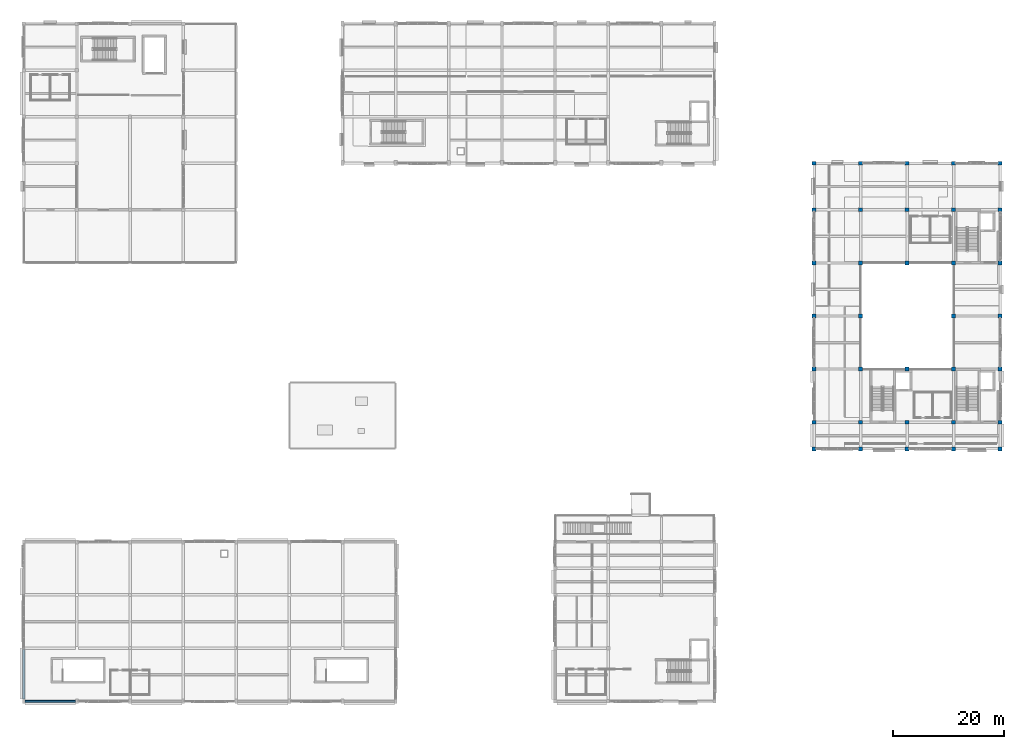
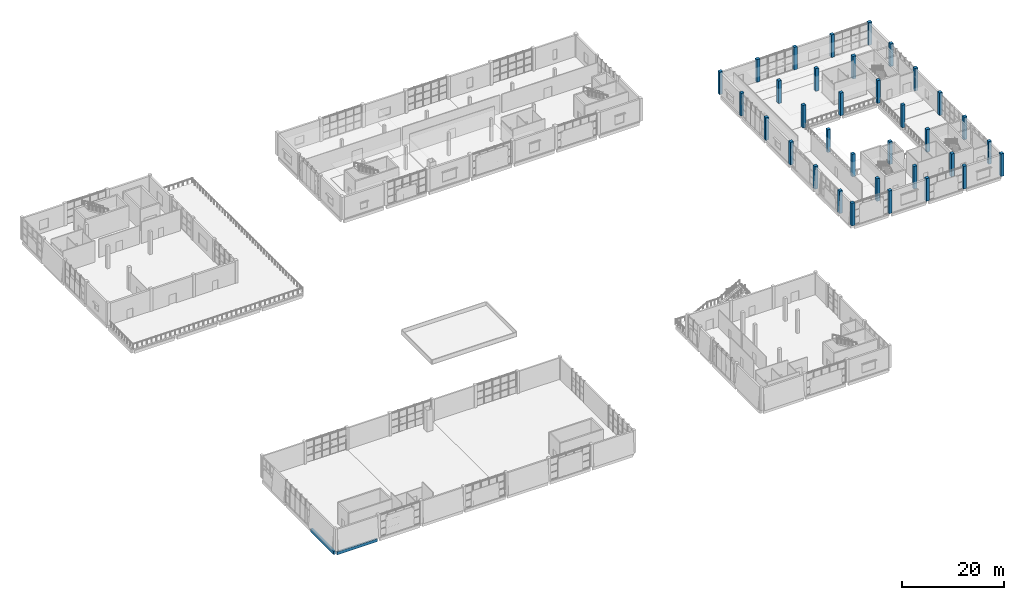
# One storey, part 2 of 72: 34 columns, 2 beams.
"""IFC4 building model written with IfcOpenShell, lengths in metres."""

from ifc_helpers import new_model, si_unit, direction, frame, origin, origin_2d, place, context, subcontext, project, spatial, rectangle, extrude, material, material_profile, profile_set, type_object, element, save


model = new_model("IFC4")

# Units and contexts
model_context = context("Model", 3, precision=1e-05, world=origin(), true_north=direction((0.0, 1.0)))
body_context = subcontext(model_context, "Body", "Model", "MODEL_VIEW")
ifc_project = project(units=[si_unit("LENGTHUNIT", "METRE"), si_unit("AREAUNIT", "SQUARE_METRE"), si_unit("VOLUMEUNIT", "CUBIC_METRE"), si_unit("PLANEANGLEUNIT", "RADIAN"), si_unit("MASSUNIT", "GRAM", prefix="KILO")], contexts=[model_context])

# Site, building, storey
site_placement = place(None, origin())
site = spatial("IfcSite", under=ifc_project, at=site_placement, CompositionType="ELEMENT")
building_placement = place(site_placement, origin())
building = spatial("IfcBuilding", under=site, at=building_placement, Name="Shalvenor Court Art Gallery", CompositionType="ELEMENT")
storey_placement = place(building_placement, frame((0.0, 0.0, 11.39990234375)))
storey = spatial("IfcBuildingStorey", under=building, at=storey_placement, Name="L02", CompositionType="ELEMENT", Elevation=11.39990234375)

# Columns
ifc_material_1 = material(Name="Concrete C40/50", Category="concrete")
ifc_material_profile_1 = material_profile(ifc_material_1, rectangle(XDim=0.699951171875, YDim=0.699951171875, at=origin_2d()), Name="RC 700x700")
ifc_profile_set_1 = profile_set([ifc_material_profile_1], Name="Concrete C40/50")
column_type_1 = type_object("IfcColumnType", Name="C-02", PredefinedType="COLUMN", material=ifc_profile_set_1)
for number, where, z_axis, x_axis, name in (
    (1, (142.800048828125, 45.60009765625, 0.0), (0.0, 0.0, 1.0), (1.0, 0.0, 0.0), "L02 Column COL-L02-C-02-0554"),
    (2, (142.800048828125, 50.39990234375, 0.0), (0.0, 0.0, 1.0), (1.0, 0.0, 0.0), "L02 Column COL-L02-C-02-0560"),
    (3, (142.800048828125, 60.0, 0.0), (0.0, 0.0, 1.0), (1.0, 0.0, 0.0), "L02 Column COL-L02-C-02-0566"),
    (4, (142.800048828125, 69.60009765625, 0.0), (0.0, 0.0, 1.0), (1.0, 0.0, 0.0), "L02 Column COL-L02-C-02-0572"),
    (5, (142.800048828125, 79.199951171875, 0.0), (0.0, 0.0, 1.0), (1.0, 0.0, 0.0), "L02 Column COL-L02-C-02-0578"),
    (6, (142.800048828125, 88.800048828125, 0.0), (0.0, 0.0, 1.0), (1.0, 0.0, 0.0), "L02 Column COL-L02-C-02-0584"),
    (7, (151.199951171875, 45.60009765625, 0.0), (0.0, 0.0, 1.0), (1.0, 0.0, 0.0), "L02 Column COL-L02-C-02-0596"),
    (8, (151.199951171875, 50.39990234375, 0.0), (0.0, 0.0, 1.0), (1.0, 0.0, 0.0), "L02 Column COL-L02-C-02-0602"),
    (9, (151.199951171875, 60.0, 0.0), (0.0, 0.0, 1.0), (1.0, 0.0, 0.0), "L02 Column COL-L02-C-02-0608"),
    (10, (151.199951171875, 69.60009765625, 0.0), (0.0, 0.0, 1.0), (1.0, 0.0, 0.0), "L02 Column COL-L02-C-02-0614"),
    (11, (151.199951171875, 79.199951171875, 0.0), (0.0, 0.0, 1.0), (1.0, 0.0, 0.0), "L02 Column COL-L02-C-02-0620"),
    (12, (151.199951171875, 88.800048828125, 0.0), (0.0, 0.0, 1.0), (1.0, 0.0, 0.0), "L02 Column COL-L02-C-02-0626"),
    (13, (159.60009765625, 45.60009765625, 0.0), (0.0, 0.0, 1.0), (1.0, 0.0, 0.0), "L02 Column COL-L02-C-02-0638"),
    (14, (159.60009765625, 50.39990234375, 0.0), (0.0, 0.0, 1.0), (1.0, 0.0, 0.0), "L02 Column COL-L02-C-02-0645"),
    (15, (159.60009765625, 60.0, 0.0), (0.0, 0.0, 1.0), (1.0, 0.0, 0.0), "L02 Column COL-L02-C-02-0652"),
    (16, (159.60009765625, 79.199951171875, 0.0), (0.0, 0.0, 1.0), (1.0, 0.0, 0.0), "L02 Column COL-L02-C-02-0659"),
    (17, (159.60009765625, 88.800048828125, 0.0), (0.0, 0.0, 1.0), (1.0, 0.0, 0.0), "L02 Column COL-L02-C-02-0666"),
    (18, (168.0, 45.60009765625, 0.0), (0.0, 0.0, 1.0), (1.0, 0.0, 0.0), "L02 Column COL-L02-C-02-0680"),
    (19, (168.0, 50.39990234375, 0.0), (0.0, 0.0, 1.0), (1.0, 0.0, 0.0), "L02 Column COL-L02-C-02-0687"),
    (20, (168.0, 60.0, 0.0), (0.0, 0.0, 1.0), (1.0, 0.0, 0.0), "L02 Column COL-L02-C-02-0694"),
    (21, (168.0, 69.60009765625, 0.0), (0.0, 0.0, 1.0), (1.0, 0.0, 0.0), "L02 Column COL-L02-C-02-0701"),
    (22, (168.0, 79.199951171875, 0.0), (0.0, 0.0, 1.0), (1.0, 0.0, 0.0), "L02 Column COL-L02-C-02-0708"),
    (23, (168.0, 88.800048828125, 0.0), (0.0, 0.0, 1.0), (1.0, 0.0, 0.0), "L02 Column COL-L02-C-02-0715"),
):
    element("IfcColumn", number, at=place(storey_placement, frame(where, z_axis=z_axis, x_axis=x_axis)), inside=storey, type_object=column_type_1, Name=name, PredefinedType="COLUMN", context=body_context, shape_type="SweptSolid", body=[
        extrude(rectangle(XDim=0.699951171875, YDim=0.699951171875, at=origin_2d()), origin(), (0.0, 0.0, 1.0), 5.400146484375),
    ])
ifc_material_2 = material(Name="Concrete C40/50", Category="concrete")
ifc_material_profile_2 = material_profile(ifc_material_2, rectangle(XDim=0.699951171875, YDim=0.699951171875, at=origin_2d()), Name="RC 700x700")
ifc_profile_set_2 = profile_set([ifc_material_profile_2], Name="Concrete C40/50")
column_type_2 = type_object("IfcColumnType", Name="C-02E", PredefinedType="COLUMN", material=ifc_profile_set_2)
for number, where, z_axis, x_axis, name in (
    (24, (142.800048828125, 97.199951171875, 0.0), (0.0, 0.0, 1.0), (1.0, 0.0, 0.0), "L02 Column COL-L02-C-02E-0590"),
    (25, (151.199951171875, 97.199951171875, 0.0), (0.0, 0.0, 1.0), (1.0, 0.0, 0.0), "L02 Column COL-L02-C-02E-0632"),
    (26, (159.60009765625, 97.199951171875, 0.0), (0.0, 0.0, 1.0), (1.0, 0.0, 0.0), "L02 Column COL-L02-C-02E-0673"),
    (27, (168.0, 97.199951171875, 0.0), (0.0, 0.0, 1.0), (1.0, 0.0, 0.0), "L02 Column COL-L02-C-02E-0722"),
    (28, (176.39990234375, 45.60009765625, 0.0), (0.0, 0.0, 1.0), (1.0, 0.0, 0.0), "L02 Column COL-L02-C-02E-0729"),
    (29, (176.39990234375, 50.39990234375, 0.0), (0.0, 0.0, 1.0), (1.0, 0.0, 0.0), "L02 Column COL-L02-C-02E-0736"),
    (30, (176.39990234375, 60.0, 0.0), (0.0, 0.0, 1.0), (1.0, 0.0, 0.0), "L02 Column COL-L02-C-02E-0743"),
    (31, (176.39990234375, 69.60009765625, 0.0), (0.0, 0.0, 1.0), (1.0, 0.0, 0.0), "L02 Column COL-L02-C-02E-0750"),
    (32, (176.39990234375, 79.199951171875, 0.0), (0.0, 0.0, 1.0), (1.0, 0.0, 0.0), "L02 Column COL-L02-C-02E-0757"),
    (33, (176.39990234375, 88.800048828125, 0.0), (0.0, 0.0, 1.0), (1.0, 0.0, 0.0), "L02 Column COL-L02-C-02E-0764"),
    (34, (176.39990234375, 97.199951171875, 0.0), (0.0, 0.0, 1.0), (1.0, 0.0, 0.0), "L02 Column COL-L02-C-02E-0771"),
):
    element("IfcColumn", number, at=place(storey_placement, frame(where, z_axis=z_axis, x_axis=x_axis)), inside=storey, type_object=column_type_2, Name=name, PredefinedType="COLUMN", context=body_context, shape_type="SweptSolid", body=[
        extrude(rectangle(XDim=0.699951171875, YDim=0.699951171875, at=origin_2d()), origin(), (0.0, 0.0, 1.0), 5.400146484375),
    ])

# Beams
ifc_material_3 = material(Name="Concrete C40/50", Category="concrete")
ifc_material_profile_3 = material_profile(ifc_material_3, rectangle(XDim=0.449951171875, YDim=0.800048828125, at=origin_2d()), Name="RC 450x800")
ifc_profile_set_3 = profile_set([ifc_material_profile_3], Name="Concrete C40/50")
beam_type_1 = type_object("IfcBeamType", Name="B-03", PredefinedType="BEAM", material=ifc_profile_set_3)
beam_1_placement = place(storey_placement, frame((0.0, 0.375, -0.719970703125), z_axis=(0.0, 1.0, 0.0), x_axis=(-1.0, 0.0, 0.0)))
element("IfcBeam", 35, at=beam_1_placement, inside=storey, type_object=beam_type_1, Name="L02 Girder BM-L02-B-03-0687", PredefinedType="BEAM", context=body_context, shape_type="SweptSolid", body=[
    extrude(rectangle(XDim=0.449951171875, YDim=0.800048828125, at=origin_2d()), origin(), (0.0, 0.0, 1.0), 8.97509765625),
])
ifc_material_4 = material(Name="Concrete C40/50", Category="concrete")
ifc_material_profile_4 = material_profile(ifc_material_4, rectangle(XDim=0.35009765625, YDim=0.699951171875, at=origin_2d()), Name="RC 350x700")
ifc_profile_set_4 = profile_set([ifc_material_profile_4], Name="Concrete C40/50")
beam_type_2 = type_object("IfcBeamType", Name="SP-01", PredefinedType="SPANDREL", material=ifc_profile_set_4)
beam_2_placement = place(storey_placement, frame((0.25, 0.0, -0.669921875), z_axis=(1.0, 0.0, 0.0), x_axis=(0.0, 1.0, 0.0)))
element("IfcBeam", 36, at=beam_2_placement, inside=storey, type_object=beam_type_2, Name="L02 Spandrel Girder BM-L02-SP-01-0797", PredefinedType="SPANDREL", context=body_context, shape_type="SweptSolid", body=[
    extrude(rectangle(XDim=0.35009765625, YDim=0.699951171875, at=origin_2d()), origin(), (0.0, 0.0, 1.0), 9.10009765625),
])

save(model, "model.ifc")
